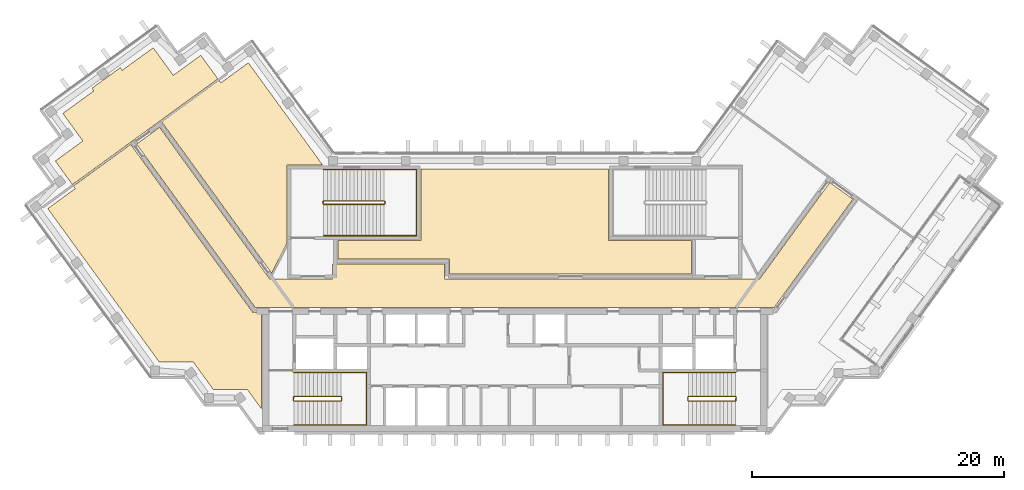
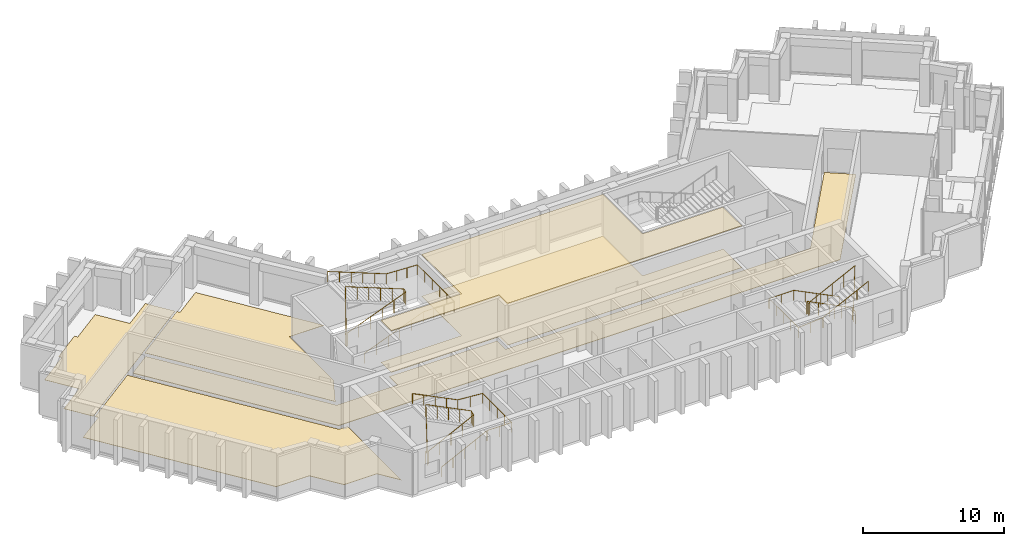
# One storey, part 8 of 9: 6 coverings, 6 railings.
"""IFC4 building model written with IfcOpenShell, lengths in metres."""

import ifcopenshell
import ifcopenshell.guid

model = None  # the IFC model being written
_history = None  # IfcOwnerHistory: only IFC2X3 demands one
_inside = {}  # id of a spatial element -> (the spatial element, [elements in it])
_under = {}  # id of a project, library or spatial element -> (it, [spatial elements below it])
_declared = {}  # id of a project -> (the project, [libraries it declares])
_typed = {}  # id of a type object -> (the type object, [elements of that type])
_made_of = {}  # id of a material, layer set ... -> (it, [elements and type objects made of it])


def new_model(schema):
    """Start an empty IFC model of exactly this schema.

    Asked for "IFC4X3", IfcOpenShell would pick the latest addendum, in which some entities
    have other attributes; the version numbers below select the first issue.
    IFC2X3 requires an IfcOwnerHistory on every rooted entity: one is made here for all.
    """
    global model, _history
    if schema == "IFC4X3":
        model = ifcopenshell.file(schema_version=(4, 3, 0, 0))
    else:
        model = ifcopenshell.file(schema=schema)
    _inside.clear()
    _under.clear()
    _declared.clear()
    _typed.clear()
    _made_of.clear()
    _history = None
    if model.schema == "IFC2X3":
        org = make("IfcOrganization", Name="unknown")
        user = make(
            "IfcPersonAndOrganization",
            ThePerson=make("IfcPerson", FamilyName="unknown"),
            TheOrganization=org,
        )
        app = make(
            "IfcApplication",
            ApplicationDeveloper=org,
            Version="unknown",
            ApplicationFullName="unknown",
            ApplicationIdentifier="unknown",
        )
        _history = make(
            "IfcOwnerHistory",
            OwningUser=user,
            OwningApplication=app,
            ChangeAction="ADDED",
            CreationDate=0,
        )
    return model


def make(cls, **values):
    """One entity of the class cls with the attributes given. An attribute that is None is left unset."""
    return model.create_entity(
        cls, **{name: value for name, value in values.items() if value is not None}
    )


def rooted(cls, **values):
    """An entity with a GlobalId (a new one), such as an element, a storey or a relation."""
    return make(cls, GlobalId=ifcopenshell.guid.new(), OwnerHistory=_history, **values)


def si_unit(unit_type, name, prefix=None):
    """IfcSIUnit, for example si_unit("LENGTHUNIT", "METRE", prefix="MILLI")."""
    return make("IfcSIUnit", UnitType=unit_type, Prefix=prefix, Name=name)


def assignment(units):
    """IfcUnitAssignment: the units of a project."""
    return None if units is None else make("IfcUnitAssignment", Units=units)


def point(xyz):
    """IfcCartesianPoint."""
    return None if xyz is None else make("IfcCartesianPoint", Coordinates=xyz)


def direction(xyz):
    """IfcDirection."""
    return None if xyz is None else make("IfcDirection", DirectionRatios=xyz)


def frame(location, z_axis=None, x_axis=None):
    """IfcAxis2Placement3D, a coordinate frame: its origin and axes. An axis left out is left unset."""
    return make(
        "IfcAxis2Placement3D",
        Location=point(location),
        Axis=direction(z_axis),
        RefDirection=direction(x_axis),
    )


def frame_2d(location, x_axis=None):
    """IfcAxis2Placement2D, a coordinate frame in the plane: its origin and x axis."""
    return make(
        "IfcAxis2Placement2D", Location=point(location), RefDirection=direction(x_axis)
    )


def origin():
    """The frame at (0, 0, 0) with its axes left unset."""
    return frame((0.0, 0.0, 0.0))


def origin_2d():
    """The frame at (0, 0) in the plane with its x axis left unset."""
    return frame_2d((0.0, 0.0))


def place(relative_to, where):
    """IfcLocalPlacement: puts the frame where relative to a parent placement (None: the world)."""
    return make(
        "IfcLocalPlacement", PlacementRelTo=relative_to, RelativePlacement=where
    )


def context(
    kind, dimensions, precision=None, world=None, true_north=None, identifier=None
):
    """IfcGeometricRepresentationContext, for example the 3D "Model" context."""
    return make(
        "IfcGeometricRepresentationContext",
        ContextIdentifier=identifier,
        ContextType=kind,
        CoordinateSpaceDimension=dimensions,
        Precision=precision,
        WorldCoordinateSystem=world,
        TrueNorth=true_north,
    )


def subcontext(parent, identifier, kind, view, scale=None):
    """IfcGeometricRepresentationSubContext, for example "Body" below "Model"."""
    return make(
        "IfcGeometricRepresentationSubContext",
        ContextIdentifier=identifier,
        ContextType=kind,
        ParentContext=parent,
        TargetScale=scale,
        TargetView=view,
    )


def project(units=None, contexts=None):
    """IfcProject with its units and contexts."""
    return rooted(
        "IfcProject",
        Name="project",
        RepresentationContexts=contexts,
        UnitsInContext=assignment(units),
    )


def spatial(cls, under=None, at=None, **own):
    """A site, building, storey or space (cls), placed at a placement, below another one or the project."""
    s = rooted(cls, ObjectPlacement=at, **own)
    if under is not None:
        _under.setdefault(under.id(), (under, []))[1].append(s)
    return s


def polyline(points):
    """IfcPolyline through the points."""
    return make("IfcPolyline", Points=[point(p) for p in points])


def profile(cls, at=None, kind="AREA", **sizes):
    """A parametric profile (cls). Its sizes go by their IFC names, for example OverallWidth=200.0."""
    return make(cls, ProfileType=kind, Position=at, **sizes)


def circle(**sizes):
    """IfcCircleProfileDef."""
    return profile("IfcCircleProfileDef", **sizes)


def outline(outer, holes=None, kind="AREA"):
    """IfcArbitraryClosedProfileDef: a profile drawn as a closed curve; with holes, ...WithVoids."""
    if holes is None:
        return make("IfcArbitraryClosedProfileDef", ProfileType=kind, OuterCurve=outer)
    return make(
        "IfcArbitraryProfileDefWithVoids",
        ProfileType=kind,
        OuterCurve=outer,
        InnerCurves=holes,
    )


def extrude(swept, where, along, depth):
    """IfcExtrudedAreaSolid: the profile swept, set in the frame where, extruded along a direction by depth."""
    return make(
        "IfcExtrudedAreaSolid",
        SweptArea=swept,
        Position=where,
        ExtrudedDirection=direction(along),
        Depth=depth,
    )


def shape(context_of_items, identifier, shape_type, items):
    """IfcShapeRepresentation: the items that make up one representation, for example the "Body"."""
    return make(
        "IfcShapeRepresentation",
        ContextOfItems=context_of_items,
        RepresentationIdentifier=identifier,
        RepresentationType=shape_type,
        Items=items,
    )


def material(Name=None, Category=None):
    """IfcMaterial."""
    return make("IfcMaterial", Name=Name, Category=Category)


def layer(
    of_material, thickness, ventilated=None, Name=None, Category=None, Priority=None
):
    """IfcMaterialLayer: one layer of a wall or slab, of a material (None: an air gap)."""
    return make(
        "IfcMaterialLayer",
        Material=of_material,
        LayerThickness=thickness,
        IsVentilated=ventilated,
        Name=Name,
        Category=Category,
        Priority=Priority,
    )


def layer_set(layers, Name=None):
    """IfcMaterialLayerSet."""
    return make("IfcMaterialLayerSet", MaterialLayers=layers, LayerSetName=Name)


def made_of(thing, what):
    """Note that an element or type object is made of a material, layer set ...; save() writes the relation."""
    if what is not None:
        _made_of.setdefault(what.id(), (what, []))[1].append(thing)
    return thing


def type_object(cls, material=None, **own):
    """A type object (cls), such as IfcWallType, which elements share."""
    return made_of(rooted(cls, **own), material)


def element(
    cls,
    number,
    at=None,
    inside=None,
    cuts=None,
    type_object=None,
    material=None,
    context=None,
    identifier="Body",
    shape_type=None,
    held_by="IfcProductDefinitionShape",
    body=None,
    shapes=None,
    **own,
):
    """One element of the class cls, such as IfcWall. Its Tag is "e" and its number.

    at: its placement. inside: the storey or other place that contains it. cuts: it is an
    opening in that element (IfcRelVoidsElement). A single representation is given by context,
    identifier, shape_type and body (its items); several are given by shapes. held_by: the class
    of the entity that holds the representations. save() writes the other relations.
    """
    e = rooted(cls, Tag="e%d" % number, ObjectPlacement=at, **own)
    if body is not None:
        shapes = [shape(context, identifier, shape_type, body)]
    if shapes is not None:
        e.Representation = make(held_by, Representations=shapes)
    if inside is not None:
        _inside.setdefault(inside.id(), (inside, []))[1].append(e)
    if cuts is not None:
        rooted(
            "IfcRelVoidsElement", RelatingBuildingElement=cuts, RelatedOpeningElement=e
        )
    if type_object is not None:
        _typed.setdefault(type_object.id(), (type_object, []))[1].append(e)
    return made_of(e, material)


def aggregate(whole, parts):
    """IfcRelAggregates: a whole, such as a stair, and the parts it consists of."""
    return rooted("IfcRelAggregates", RelatingObject=whole, RelatedObjects=parts)


def save(model, path):
    """Write the relations noted so far, then the file.

    IfcRelAggregates (storeys below a building ...), IfcRelContainedInSpatialStructure (elements
    in a storey), IfcRelDefinesByType, IfcRelAssociatesMaterial and IfcRelDeclares: one each for
    every whole, place, type object, material and project.
    """
    for whole, parts in _under.values():
        aggregate(whole, parts)
    for where, things in _inside.values():
        rooted(
            "IfcRelContainedInSpatialStructure",
            RelatedElements=things,
            RelatingStructure=where,
        )
    for kind, things in _typed.values():
        rooted("IfcRelDefinesByType", RelatedObjects=things, RelatingType=kind)
    for what, things in _made_of.values():
        rooted("IfcRelAssociatesMaterial", RelatedObjects=things, RelatingMaterial=what)
    for by, libraries in _declared.values():
        rooted("IfcRelDeclares", RelatingContext=by, RelatedDefinitions=libraries)
    model.write(path)


model = new_model("IFC4")

# Units and contexts
model_context = context("Model", 3, precision=1e-05, world=origin(), true_north=direction((0.0, 1.0)))
body_context = subcontext(model_context, "Body", "Model", "MODEL_VIEW")
ifc_project = project(units=[si_unit("LENGTHUNIT", "METRE"), si_unit("AREAUNIT", "SQUARE_METRE"), si_unit("VOLUMEUNIT", "CUBIC_METRE"), si_unit("PLANEANGLEUNIT", "RADIAN"), si_unit("MASSUNIT", "GRAM", prefix="KILO")], contexts=[model_context])

# Site, building, storey
site_placement = place(None, origin())
site = spatial("IfcSite", under=ifc_project, at=site_placement, CompositionType="ELEMENT")
building_placement = place(site_placement, origin())
building = spatial("IfcBuilding", under=site, at=building_placement, Name="Quipu Civic Tower", CompositionType="ELEMENT")
storey_placement = place(building_placement, frame((0.0, 0.0, 315.0)))
storey = spatial("IfcBuildingStorey", under=building, at=storey_placement, Name="L73", CompositionType="ELEMENT", Elevation=315.0)

# Coverings
ifc_material_1 = material(Name="Mineral fibre acoustic ceiling tile")
ifc_layer_1 = layer(ifc_material_1, 0.0400390625)
ifc_layer_set_1 = layer_set([ifc_layer_1], Name="Mineral fibre acoustic ceiling tile")
covering_type_1 = type_object("IfcCoveringType", Name="Acoustic ceiling tile 600 x 600", PredefinedType="CEILING", material=ifc_layer_set_1)
covering_1_placement = place(storey_placement, frame((0.0, 0.0, 3.610107421875)))
element("IfcCovering", 1, at=covering_1_placement, inside=storey, type_object=covering_type_1, Name="Acoustic ceiling tile 600 x 600", PredefinedType="CEILING", context=body_context, shape_type="SweptSolid", body=[
    extrude(outline(polyline([(-14.030029296875, 2.719970703125), (-14.030029296875, 4.179931640625), (-7.430908203125, 4.180908203125), (-7.429931640625, 9.830078125), (7.429931640625, 9.830078125), (7.430908203125, 4.179931640625), (14.030029296875, 4.179931640625), (14.030029296875, 1.52001953125), (-5.179931640625, 1.52001953125), (-5.181884765625, 2.719970703125), (-14.030029296875, 2.719970703125)])), origin(), (0.0, 0.0, 1.0), 0.039794921875),
])
ifc_material_2 = material(Name="Carpet tile on raised access floor")
ifc_layer_2 = layer(ifc_material_2, 0.02001953125)
ifc_layer_set_2 = layer_set([ifc_layer_2], Name="Carpet tile on raised access floor")
covering_type_2 = type_object("IfcCoveringType", Name="Carpet tile floor finish 20", PredefinedType="FLOORING", material=ifc_layer_set_2)
covering_2_placement = place(storey_placement, origin())
element("IfcCovering", 2, at=covering_2_placement, inside=storey, type_object=covering_type_2, Name="Carpet tile floor finish 20", PredefinedType="FLOORING", context=body_context, shape_type="SweptSolid", body=[
    extrude(outline(polyline([(-14.030029296875, 2.719970703125), (-14.030029296875, 4.179931640625), (-7.430908203125, 4.180908203125), (-7.429931640625, 9.830078125), (7.429931640625, 9.830078125), (7.430908203125, 4.179931640625), (14.030029296875, 4.179931640625), (14.030029296875, 1.52001953125), (-5.179931640625, 1.52001953125), (-5.181884765625, 2.719970703125), (-14.030029296875, 2.719970703125)])), origin(), (0.0, 0.0, 1.0), 0.02001953125),
])
covering_3_placement = place(storey_placement, origin())
element("IfcCovering", 3, at=covering_3_placement, inside=storey, type_object=covering_type_2, Name="Carpet tile floor finish 20", PredefinedType="FLOORING", context=body_context, shape_type="SweptSolid", body=[
    extrude(outline(polyline([(-27.987060546875, 13.5791015625), (-23.447998046875, 16.876953125), (-23.299072265625, 16.676025390625), (-21.115966796875, 18.260986328125), (-15.238037109375, 10.169921875), (-18.070068359375, 10.1689453125), (-18.070068359375, 3.94189453125), (-19.27197265625, 1.583984375), (-27.987060546875, 13.5791015625)])), origin(), (0.0, 0.0, 1.0), 0.02001953125),
])
covering_4_placement = place(storey_placement, origin())
element("IfcCovering", 4, at=covering_4_placement, inside=storey, type_object=covering_type_2, Name="Carpet tile floor finish 20", PredefinedType="FLOORING", context=body_context, shape_type="SweptSolid", body=[
    extrude(outline(polyline([(-36.425048828125, 10.47705078125), (-34.240966796875, 12.06396484375), (-35.826904296875, 14.248046875), (-33.3701171875, 16.032958984375), (-33.52197265625, 16.2451171875), (-31.27099609375, 17.8798828125), (-31.116943359375, 17.6708984375), (-28.658935546875, 19.455078125), (-27.073974609375, 17.27197265625), (-24.888916015625, 18.85791015625), (-23.531005859375, 16.989013671875), (-35.068115234375, 8.60791015625), (-36.425048828125, 10.47705078125)])), origin(), (0.0, 0.0, 1.0), 0.02001953125),
])
ifc_material_3 = material(Name="Ceramic floor tile")
ifc_layer_3 = layer(ifc_material_3, 0.030029296875)
ifc_layer_set_3 = layer_set([ifc_layer_3], Name="Ceramic floor tile")
covering_type_3 = type_object("IfcCoveringType", Name="Ceramic tile floor finish 30", PredefinedType="FLOORING", material=ifc_layer_set_3)
covering_5_placement = place(storey_placement, origin())
element("IfcCovering", 5, at=covering_5_placement, inside=storey, type_object=covering_type_3, Name="Ceramic tile floor finish 30", PredefinedType="FLOORING", context=body_context, shape_type="SweptSolid", body=[
    extrude(outline(polyline([(-37.02197265625, 6.7060546875), (-34.839111328125, 8.291015625), (-34.985107421875, 8.493896484375), (-30.446044921875, 11.7919921875), (-20.77490234375, -1.51904296875), (-20.070068359375, -1.52001953125), (-20.070068359375, -9.195068359375), (-21.196044921875, -7.64599609375), (-23.89501953125, -7.64599609375), (-25.48193359375, -5.4619140625), (-28.181884765625, -5.4609375), (-37.02197265625, 6.7060546875)])), origin(), (0.0, 0.0, 1.0), 0.030029296875),
])

# Railings
ifc_material_4 = material(Name="Stainless steel", Category="steel")
railing_type_1 = type_object("IfcRailingType", Name="Stair guard 1100", PredefinedType="GUARDRAIL", material=ifc_material_4)
railing_1_placement = place(storey_placement, frame((-17.5, -8.550048828125, 0.15380859375)))
element("IfcRailing", 6, at=railing_1_placement, inside=storey, type_object=railing_type_1, Name="Stair 1 guard", PredefinedType="GUARDRAIL", context=body_context, shape_type="SweptSolid", body=[
    extrude(circle(Radius=0.02392578125, at=origin_2d()), frame((0.0, 0.0, 1.076171875), z_axis=(0.895751851347, 0.0, 0.444554407028), x_axis=(0.0, 1.0, 0.0)), (0.0, 0.0, 1.0), 4.15283203125),
    extrude(circle(Radius=0.02392578125, at=origin_2d()), frame((3.719970703125, 0.0, 2.92236328125), z_axis=(0.707106781187, 0.707106781187, 0.0), x_axis=(-0.707106781187, 0.707106781187, 0.0)), (0.0, 0.0, 1.0), 0.07080078125),
    extrude(circle(Radius=0.02392578125, at=origin_2d()), frame((3.77001953125, 0.050048828125, 2.92236328125), z_axis=(0.0, 1.0, 0.0), x_axis=(-1.0, 0.0, 0.0)), (0.0, 0.0, 1.0), 0.25),
    extrude(circle(Radius=0.02392578125, at=origin_2d()), frame((3.77001953125, 0.300048828125, 2.92236328125), z_axis=(-0.295599637079, 0.295599637079, 0.908428152975), x_axis=(-0.707106781187, -0.707106781187, 0.0)), (0.0, 0.0, 1.0), 0.16943359375),
    extrude(circle(Radius=0.02392578125, at=origin_2d()), frame((3.719970703125, 0.35009765625, 3.076171875), z_axis=(-0.895751851347, 0.0, 0.444554407028), x_axis=(0.0, -1.0, 0.0)), (0.0, 0.0, 1.0), 4.15283203125),
    extrude(circle(Radius=0.02392578125, at=origin_2d()), frame((0.0, 0.35009765625, 4.92236328125), z_axis=(-0.012476181752, -0.074796231092, -0.997120789425), x_axis=(0.986372223864, -0.164529134168, 0.0)), (0.0, 0.0, 1.0), 4.011474609375),
    extrude(circle(Radius=0.02392578125, at=origin_2d()), frame((-0.050048828125, 0.050048828125, 0.92236328125), z_axis=(0.0, 1.0, 0.0), x_axis=(-1.0, 0.0, 0.0)), (0.0, 0.0, 1.0), 0.25),
    extrude(circle(Radius=0.02099609375, at=origin_2d()), origin(), (0.0, 0.0, 1.0), 1.052001953125),
    extrude(circle(Radius=0.02099609375, at=origin_2d()), frame((0.929931640625, 0.0, 0.46142578125)), (0.0, 0.0, 1.0), 1.052001953125),
    extrude(circle(Radius=0.02099609375, at=origin_2d()), frame((1.85986328125, 0.0, 0.923095703125)), (0.0, 0.0, 1.0), 1.052001953125),
    extrude(circle(Radius=0.02099609375, at=origin_2d()), frame((2.7900390625, 0.0, 1.384765625)), (0.0, 0.0, 1.0), 1.052001953125),
    extrude(circle(Radius=0.02099609375, at=origin_2d()), frame((3.719970703125, 0.0, 1.84619140625)), (0.0, 0.0, 1.0), 1.052001953125),
    extrude(circle(Radius=0.02099609375, at=origin_2d()), frame((3.77001953125, 0.050048828125, 1.84619140625)), (0.0, 0.0, 1.0), 1.052001953125),
    extrude(circle(Radius=0.02099609375, at=origin_2d()), frame((3.77001953125, 0.300048828125, 1.84619140625)), (0.0, 0.0, 1.0), 1.052001953125),
    extrude(circle(Radius=0.02099609375, at=origin_2d()), frame((3.719970703125, 0.35009765625, 2.0)), (0.0, 0.0, 1.0), 1.052001953125),
    extrude(circle(Radius=0.02099609375, at=origin_2d()), frame((2.7900390625, 0.35009765625, 2.46142578125)), (0.0, 0.0, 1.0), 1.052001953125),
    extrude(circle(Radius=0.02099609375, at=origin_2d()), frame((1.85986328125, 0.35009765625, 2.923095703125)), (0.0, 0.0, 1.0), 1.052001953125),
    extrude(circle(Radius=0.02099609375, at=origin_2d()), frame((0.929931640625, 0.35009765625, 3.384765625)), (0.0, 0.0, 1.0), 1.052001953125),
    extrude(circle(Radius=0.02099609375, at=origin_2d()), frame((0.0, 0.35009765625, 3.84619140625)), (0.0, 0.0, 1.0), 1.052001953125),
    extrude(circle(Radius=0.02099609375, at=origin_2d()), frame((-0.012451171875, 0.275146484375, 2.84619140625)), (0.0, 0.0, 1.0), 1.052001953125),
    extrude(circle(Radius=0.02099609375, at=origin_2d()), frame((-0.02490234375, 0.2001953125, 1.84619140625)), (0.0, 0.0, 1.0), 1.052001953125),
    extrude(circle(Radius=0.02099609375, at=origin_2d()), frame((-0.03759765625, 0.125, 0.84619140625)), (0.0, 0.0, 1.0), 1.052001953125),
    extrude(circle(Radius=0.02099609375, at=origin_2d()), frame((-0.050048828125, 0.050048828125, -0.15380859375)), (0.0, 0.0, 1.0), 1.052001953125),
    extrude(circle(Radius=0.02099609375, at=origin_2d()), frame((-0.050048828125, 0.300048828125, -0.15380859375)), (0.0, 0.0, 1.0), 1.052001953125),
])
railing_2_placement = place(storey_placement, frame((17.5, -8.199951171875, 0.15380859375)))
element("IfcRailing", 7, at=railing_2_placement, inside=storey, type_object=railing_type_1, Name="Stair 2 guard", PredefinedType="GUARDRAIL", context=body_context, shape_type="SweptSolid", body=[
    extrude(circle(Radius=0.02392578125, at=origin_2d()), frame((0.0, 0.0, 1.076171875), z_axis=(-0.895751851347, 0.0, 0.444554407028), x_axis=(0.0, -1.0, 0.0)), (0.0, 0.0, 1.0), 4.15283203125),
    extrude(circle(Radius=0.02392578125, at=origin_2d()), frame((-3.719970703125, 0.0, 2.92236328125), z_axis=(-0.707106781187, -0.707106781187, 0.0), x_axis=(0.707106781187, -0.707106781187, 0.0)), (0.0, 0.0, 1.0), 0.07080078125),
    extrude(circle(Radius=0.02392578125, at=origin_2d()), frame((-3.77001953125, -0.050048828125, 2.92236328125), z_axis=(0.0, -1.0, 0.0), x_axis=(1.0, 0.0, 0.0)), (0.0, 0.0, 1.0), 0.25),
    extrude(circle(Radius=0.02392578125, at=origin_2d()), frame((-3.77001953125, -0.300048828125, 2.92236328125), z_axis=(0.295599637079, -0.295599637079, 0.908428152975), x_axis=(0.707106781187, 0.707106781187, 0.0)), (0.0, 0.0, 1.0), 0.16943359375),
    extrude(circle(Radius=0.02392578125, at=origin_2d()), frame((-3.719970703125, -0.35009765625, 3.076171875), z_axis=(0.895751851347, 0.0, 0.444554407028), x_axis=(0.0, 1.0, 0.0)), (0.0, 0.0, 1.0), 4.15283203125),
    extrude(circle(Radius=0.02392578125, at=origin_2d()), frame((0.0, -0.35009765625, 4.92236328125), z_axis=(0.012476181752, 0.074796231092, -0.997120789425), x_axis=(-0.986372223864, 0.164529134168, 0.0)), (0.0, 0.0, 1.0), 4.011474609375),
    extrude(circle(Radius=0.02392578125, at=origin_2d()), frame((0.050048828125, -0.050048828125, 0.92236328125), z_axis=(0.0, -1.0, 0.0), x_axis=(1.0, 0.0, 0.0)), (0.0, 0.0, 1.0), 0.25),
    extrude(circle(Radius=0.02099609375, at=origin_2d()), origin(), (0.0, 0.0, 1.0), 1.052001953125),
    extrude(circle(Radius=0.02099609375, at=origin_2d()), frame((-0.929931640625, 0.0, 0.46142578125)), (0.0, 0.0, 1.0), 1.052001953125),
    extrude(circle(Radius=0.02099609375, at=origin_2d()), frame((-1.85986328125, 0.0, 0.923095703125)), (0.0, 0.0, 1.0), 1.052001953125),
    extrude(circle(Radius=0.02099609375, at=origin_2d()), frame((-2.7900390625, 0.0, 1.384765625)), (0.0, 0.0, 1.0), 1.052001953125),
    extrude(circle(Radius=0.02099609375, at=origin_2d()), frame((-3.719970703125, 0.0, 1.84619140625)), (0.0, 0.0, 1.0), 1.052001953125),
    extrude(circle(Radius=0.02099609375, at=origin_2d()), frame((-3.77001953125, -0.050048828125, 1.84619140625)), (0.0, 0.0, 1.0), 1.052001953125),
    extrude(circle(Radius=0.02099609375, at=origin_2d()), frame((-3.77001953125, -0.300048828125, 1.84619140625)), (0.0, 0.0, 1.0), 1.052001953125),
    extrude(circle(Radius=0.02099609375, at=origin_2d()), frame((-3.719970703125, -0.35009765625, 2.0)), (0.0, 0.0, 1.0), 1.052001953125),
    extrude(circle(Radius=0.02099609375, at=origin_2d()), frame((-2.7900390625, -0.35009765625, 2.46142578125)), (0.0, 0.0, 1.0), 1.052001953125),
    extrude(circle(Radius=0.02099609375, at=origin_2d()), frame((-1.85986328125, -0.35009765625, 2.923095703125)), (0.0, 0.0, 1.0), 1.052001953125),
    extrude(circle(Radius=0.02099609375, at=origin_2d()), frame((-0.929931640625, -0.35009765625, 3.384765625)), (0.0, 0.0, 1.0), 1.052001953125),
    extrude(circle(Radius=0.02099609375, at=origin_2d()), frame((0.0, -0.35009765625, 3.84619140625)), (0.0, 0.0, 1.0), 1.052001953125),
    extrude(circle(Radius=0.02099609375, at=origin_2d()), frame((0.012451171875, -0.275146484375, 2.84619140625)), (0.0, 0.0, 1.0), 1.052001953125),
    extrude(circle(Radius=0.02099609375, at=origin_2d()), frame((0.02490234375, -0.2001953125, 1.84619140625)), (0.0, 0.0, 1.0), 1.052001953125),
    extrude(circle(Radius=0.02099609375, at=origin_2d()), frame((0.03759765625, -0.125, 0.84619140625)), (0.0, 0.0, 1.0), 1.052001953125),
    extrude(circle(Radius=0.02099609375, at=origin_2d()), frame((0.050048828125, -0.050048828125, -0.15380859375)), (0.0, 0.0, 1.0), 1.052001953125),
    extrude(circle(Radius=0.02099609375, at=origin_2d()), frame((0.050048828125, -0.300048828125, -0.15380859375)), (0.0, 0.0, 1.0), 1.052001953125),
])
railing_3_placement = place(storey_placement, frame((-15.14990234375, 7.050048828125, 0.11767578125)))
element("IfcRailing", 8, at=railing_3_placement, inside=storey, type_object=railing_type_1, Name="Stair 3 guard", PredefinedType="GUARDRAIL", context=body_context, shape_type="SweptSolid", body=[
    extrude(circle(Radius=0.02392578125, at=origin_2d()), frame((0.0, 0.0, 1.076171875), z_axis=(0.930970042603, 0.0, 0.365095576219), x_axis=(0.0, 1.0, 0.0)), (0.0, 0.0, 1.0), 5.15576171875),
    extrude(circle(Radius=0.02392578125, at=origin_2d()), frame((4.7998046875, 0.0, 2.95849609375), z_axis=(0.707106781187, 0.707106781187, 0.0), x_axis=(-0.707106781187, 0.707106781187, 0.0)), (0.0, 0.0, 1.0), 0.07080078125),
    extrude(circle(Radius=0.02392578125, at=origin_2d()), frame((4.849853515625, 0.050048828125, 2.95849609375), z_axis=(0.0, 1.0, 0.0), x_axis=(-1.0, 0.0, 0.0)), (0.0, 0.0, 1.0), 0.14990234375),
    extrude(circle(Radius=0.02392578125, at=origin_2d()), frame((4.849853515625, 0.199951171875, 2.95849609375), z_axis=(-0.364463019033, 0.364463019033, 0.856932561824), x_axis=(-0.707106781187, -0.707106781187, 0.0)), (0.0, 0.0, 1.0), 0.13720703125),
    extrude(circle(Radius=0.02392578125, at=origin_2d()), frame((4.7998046875, 0.25, 3.076171875), z_axis=(-0.930970042603, 0.0, 0.365095576219), x_axis=(0.0, -1.0, 0.0)), (0.0, 0.0, 1.0), 5.15576171875),
    extrude(circle(Radius=0.02392578125, at=origin_2d()), frame((0.0, 0.25, 4.95849609375), z_axis=(-0.012495627992, -0.049921557685, -0.998674970829), x_axis=(0.970072785993, -0.242814311512, 0.0)), (0.0, 0.0, 1.0), 4.00537109375),
    extrude(circle(Radius=0.02392578125, at=origin_2d()), frame((-0.050048828125, 0.050048828125, 0.95849609375), z_axis=(0.0, 1.0, 0.0), x_axis=(-1.0, 0.0, 0.0)), (0.0, 0.0, 1.0), 0.14990234375),
    extrude(circle(Radius=0.02099609375, at=origin_2d()), origin(), (0.0, 0.0, 1.0), 1.052001953125),
    extrude(circle(Radius=0.02099609375, at=origin_2d()), frame((0.9599609375, 0.0, 0.37646484375)), (0.0, 0.0, 1.0), 1.052001953125),
    extrude(circle(Radius=0.02099609375, at=origin_2d()), frame((1.919921875, 0.0, 0.7529296875)), (0.0, 0.0, 1.0), 1.052001953125),
    extrude(circle(Radius=0.02099609375, at=origin_2d()), frame((2.8798828125, 0.0, 1.12939453125)), (0.0, 0.0, 1.0), 1.052001953125),
    extrude(circle(Radius=0.02099609375, at=origin_2d()), frame((3.83984375, 0.0, 1.505859375)), (0.0, 0.0, 1.0), 1.052001953125),
    extrude(circle(Radius=0.02099609375, at=origin_2d()), frame((4.7998046875, 0.0, 1.88232421875)), (0.0, 0.0, 1.0), 1.052001953125),
    extrude(circle(Radius=0.02099609375, at=origin_2d()), frame((4.849853515625, 0.050048828125, 1.88232421875)), (0.0, 0.0, 1.0), 1.052001953125),
    extrude(circle(Radius=0.02099609375, at=origin_2d()), frame((4.849853515625, 0.199951171875, 1.88232421875)), (0.0, 0.0, 1.0), 1.052001953125),
    extrude(circle(Radius=0.02099609375, at=origin_2d()), frame((4.7998046875, 0.25, 2.0)), (0.0, 0.0, 1.0), 1.052001953125),
    extrude(circle(Radius=0.02099609375, at=origin_2d()), frame((3.83984375, 0.25, 2.37646484375)), (0.0, 0.0, 1.0), 1.052001953125),
    extrude(circle(Radius=0.02099609375, at=origin_2d()), frame((2.8798828125, 0.25, 2.7529296875)), (0.0, 0.0, 1.0), 1.052001953125),
    extrude(circle(Radius=0.02099609375, at=origin_2d()), frame((1.919921875, 0.25, 3.12939453125)), (0.0, 0.0, 1.0), 1.052001953125),
    extrude(circle(Radius=0.02099609375, at=origin_2d()), frame((0.9599609375, 0.25, 3.505859375)), (0.0, 0.0, 1.0), 1.052001953125),
    extrude(circle(Radius=0.02099609375, at=origin_2d()), frame((0.0, 0.25, 3.88232421875)), (0.0, 0.0, 1.0), 1.052001953125),
    extrude(circle(Radius=0.02099609375, at=origin_2d()), frame((-0.012451171875, 0.199951171875, 2.88232421875)), (0.0, 0.0, 1.0), 1.052001953125),
    extrude(circle(Radius=0.02099609375, at=origin_2d()), frame((-0.02490234375, 0.14990234375, 1.88232421875)), (0.0, 0.0, 1.0), 1.052001953125),
    extrude(circle(Radius=0.02099609375, at=origin_2d()), frame((-0.03759765625, 0.10009765625, 0.88232421875)), (0.0, 0.0, 1.0), 1.052001953125),
    extrude(circle(Radius=0.02099609375, at=origin_2d()), frame((-0.050048828125, 0.050048828125, -0.11767578125)), (0.0, 0.0, 1.0), 1.052001953125),
    extrude(circle(Radius=0.02099609375, at=origin_2d()), frame((-0.050048828125, 0.199951171875, -0.11767578125)), (0.0, 0.0, 1.0), 1.052001953125),
])
ifc_material_5 = material(Name="Stainless steel", Category="steel")
railing_type_2 = type_object("IfcRailingType", Name="Stair handrail", PredefinedType="HANDRAIL", material=ifc_material_5)
railing_4_placement = place(storey_placement, frame((-17.5, -10.449951171875, 0.15380859375)))
element("IfcRailing", 9, at=railing_4_placement, inside=storey, type_object=railing_type_2, Name="Stair 1 handrail", PredefinedType="HANDRAIL", context=body_context, shape_type="SweptSolid", body=[
    extrude(circle(Radius=0.02392578125, at=origin_2d()), frame((0.0, 0.0, 0.8759765625), z_axis=(0.895751851347, 0.0, 0.444554407028), x_axis=(0.0, 1.0, 0.0)), (0.0, 0.0, 1.0), 4.15283203125),
    extrude(circle(Radius=0.02392578125, at=origin_2d()), frame((3.719970703125, 0.0, 2.72216796875), z_axis=(1.0, 0.0, 0.0), x_axis=(0.0, 1.0, 0.0)), (0.0, 0.0, 1.0), 2.030029296875),
    extrude(circle(Radius=0.02392578125, at=origin_2d()), frame((5.75, 0.0, 2.72216796875), z_axis=(0.0, 1.0, 0.0), x_axis=(-1.0, 0.0, 0.0)), (0.0, 0.0, 1.0), 4.14990234375),
    extrude(circle(Radius=0.02392578125, at=origin_2d()), frame((5.75, 4.14990234375, 2.72216796875), z_axis=(-0.997142003663, 0.0, 0.075550145798), x_axis=(0.0, -1.0, 0.0)), (0.0, 0.0, 1.0), 2.035888671875),
    extrude(circle(Radius=0.02392578125, at=origin_2d()), frame((3.719970703125, 4.14990234375, 2.8759765625), z_axis=(-0.895751851347, 0.0, 0.444554407028), x_axis=(0.0, -1.0, 0.0)), (0.0, 0.0, 1.0), 4.15283203125),
    extrude(circle(Radius=0.02099609375, at=origin_2d()), origin(), (0.0, 0.0, 1.0), 0.851806640625),
    extrude(circle(Radius=0.02099609375, at=origin_2d()), frame((0.929931640625, 0.0, 0.46142578125)), (0.0, 0.0, 1.0), 0.851806640625),
    extrude(circle(Radius=0.02099609375, at=origin_2d()), frame((1.85986328125, 0.0, 0.923095703125)), (0.0, 0.0, 1.0), 0.851806640625),
    extrude(circle(Radius=0.02099609375, at=origin_2d()), frame((2.7900390625, 0.0, 1.384765625)), (0.0, 0.0, 1.0), 0.851806640625),
    extrude(circle(Radius=0.02099609375, at=origin_2d()), frame((3.719970703125, 0.0, 1.84619140625)), (0.0, 0.0, 1.0), 0.851806640625),
    extrude(circle(Radius=0.02099609375, at=origin_2d()), frame((4.73486328125, 0.0, 1.84619140625)), (0.0, 0.0, 1.0), 0.851806640625),
    extrude(circle(Radius=0.02099609375, at=origin_2d()), frame((5.75, 0.0, 1.84619140625)), (0.0, 0.0, 1.0), 0.851806640625),
    extrude(circle(Radius=0.02099609375, at=origin_2d()), frame((5.75, 1.03759765625, 1.84619140625)), (0.0, 0.0, 1.0), 0.851806640625),
    extrude(circle(Radius=0.02099609375, at=origin_2d()), frame((5.75, 2.074951171875, 1.84619140625)), (0.0, 0.0, 1.0), 0.851806640625),
    extrude(circle(Radius=0.02099609375, at=origin_2d()), frame((5.75, 3.1123046875, 1.84619140625)), (0.0, 0.0, 1.0), 0.851806640625),
    extrude(circle(Radius=0.02099609375, at=origin_2d()), frame((5.75, 4.14990234375, 1.84619140625)), (0.0, 0.0, 1.0), 0.851806640625),
    extrude(circle(Radius=0.02099609375, at=origin_2d()), frame((4.73486328125, 4.14990234375, 1.923095703125)), (0.0, 0.0, 1.0), 0.851806640625),
    extrude(circle(Radius=0.02099609375, at=origin_2d()), frame((3.719970703125, 4.14990234375, 2.0)), (0.0, 0.0, 1.0), 0.851806640625),
    extrude(circle(Radius=0.02099609375, at=origin_2d()), frame((2.7900390625, 4.14990234375, 2.46142578125)), (0.0, 0.0, 1.0), 0.851806640625),
    extrude(circle(Radius=0.02099609375, at=origin_2d()), frame((1.85986328125, 4.14990234375, 2.923095703125)), (0.0, 0.0, 1.0), 0.851806640625),
    extrude(circle(Radius=0.02099609375, at=origin_2d()), frame((0.929931640625, 4.14990234375, 3.384765625)), (0.0, 0.0, 1.0), 0.851806640625),
    extrude(circle(Radius=0.02099609375, at=origin_2d()), frame((0.0, 4.14990234375, 3.84619140625)), (0.0, 0.0, 1.0), 0.851806640625),
])
railing_5_placement = place(storey_placement, frame((17.5, -6.300048828125, 0.15380859375)))
element("IfcRailing", 10, at=railing_5_placement, inside=storey, type_object=railing_type_2, Name="Stair 2 handrail", PredefinedType="HANDRAIL", context=body_context, shape_type="SweptSolid", body=[
    extrude(circle(Radius=0.02392578125, at=origin_2d()), frame((0.0, 0.0, 0.8759765625), z_axis=(-0.895751851347, 0.0, 0.444554407028), x_axis=(0.0, -1.0, 0.0)), (0.0, 0.0, 1.0), 4.15283203125),
    extrude(circle(Radius=0.02392578125, at=origin_2d()), frame((-3.719970703125, 0.0, 2.72216796875), z_axis=(-1.0, 0.0, 0.0), x_axis=(0.0, -1.0, 0.0)), (0.0, 0.0, 1.0), 2.030029296875),
    extrude(circle(Radius=0.02392578125, at=origin_2d()), frame((-5.75, 0.0, 2.72216796875), z_axis=(0.0, -1.0, 0.0), x_axis=(1.0, 0.0, 0.0)), (0.0, 0.0, 1.0), 4.14990234375),
    extrude(circle(Radius=0.02392578125, at=origin_2d()), frame((-5.75, -4.14990234375, 2.72216796875), z_axis=(0.997142003663, 0.0, 0.075550145798), x_axis=(0.0, 1.0, 0.0)), (0.0, 0.0, 1.0), 2.035888671875),
    extrude(circle(Radius=0.02392578125, at=origin_2d()), frame((-3.719970703125, -4.14990234375, 2.8759765625), z_axis=(0.895751851347, 0.0, 0.444554407028), x_axis=(0.0, 1.0, 0.0)), (0.0, 0.0, 1.0), 4.15283203125),
    extrude(circle(Radius=0.02099609375, at=origin_2d()), origin(), (0.0, 0.0, 1.0), 0.851806640625),
    extrude(circle(Radius=0.02099609375, at=origin_2d()), frame((-0.929931640625, 0.0, 0.46142578125)), (0.0, 0.0, 1.0), 0.851806640625),
    extrude(circle(Radius=0.02099609375, at=origin_2d()), frame((-1.85986328125, 0.0, 0.923095703125)), (0.0, 0.0, 1.0), 0.851806640625),
    extrude(circle(Radius=0.02099609375, at=origin_2d()), frame((-2.7900390625, 0.0, 1.384765625)), (0.0, 0.0, 1.0), 0.851806640625),
    extrude(circle(Radius=0.02099609375, at=origin_2d()), frame((-3.719970703125, 0.0, 1.84619140625)), (0.0, 0.0, 1.0), 0.851806640625),
    extrude(circle(Radius=0.02099609375, at=origin_2d()), frame((-4.73486328125, 0.0, 1.84619140625)), (0.0, 0.0, 1.0), 0.851806640625),
    extrude(circle(Radius=0.02099609375, at=origin_2d()), frame((-5.75, 0.0, 1.84619140625)), (0.0, 0.0, 1.0), 0.851806640625),
    extrude(circle(Radius=0.02099609375, at=origin_2d()), frame((-5.75, -1.03759765625, 1.84619140625)), (0.0, 0.0, 1.0), 0.851806640625),
    extrude(circle(Radius=0.02099609375, at=origin_2d()), frame((-5.75, -2.074951171875, 1.84619140625)), (0.0, 0.0, 1.0), 0.851806640625),
    extrude(circle(Radius=0.02099609375, at=origin_2d()), frame((-5.75, -3.1123046875, 1.84619140625)), (0.0, 0.0, 1.0), 0.851806640625),
    extrude(circle(Radius=0.02099609375, at=origin_2d()), frame((-5.75, -4.14990234375, 1.84619140625)), (0.0, 0.0, 1.0), 0.851806640625),
    extrude(circle(Radius=0.02099609375, at=origin_2d()), frame((-4.73486328125, -4.14990234375, 1.923095703125)), (0.0, 0.0, 1.0), 0.851806640625),
    extrude(circle(Radius=0.02099609375, at=origin_2d()), frame((-3.719970703125, -4.14990234375, 2.0)), (0.0, 0.0, 1.0), 0.851806640625),
    extrude(circle(Radius=0.02099609375, at=origin_2d()), frame((-2.7900390625, -4.14990234375, 2.46142578125)), (0.0, 0.0, 1.0), 0.851806640625),
    extrude(circle(Radius=0.02099609375, at=origin_2d()), frame((-1.85986328125, -4.14990234375, 2.923095703125)), (0.0, 0.0, 1.0), 0.851806640625),
    extrude(circle(Radius=0.02099609375, at=origin_2d()), frame((-0.929931640625, -4.14990234375, 3.384765625)), (0.0, 0.0, 1.0), 0.851806640625),
    extrude(circle(Radius=0.02099609375, at=origin_2d()), frame((0.0, -4.14990234375, 3.84619140625)), (0.0, 0.0, 1.0), 0.851806640625),
])
railing_6_placement = place(storey_placement, frame((-15.14990234375, 4.550048828125, 0.11767578125)))
element("IfcRailing", 11, at=railing_6_placement, inside=storey, type_object=railing_type_2, Name="Stair 3 handrail", PredefinedType="HANDRAIL", context=body_context, shape_type="SweptSolid", body=[
    extrude(circle(Radius=0.02392578125, at=origin_2d()), frame((0.0, 0.0, 0.8759765625), z_axis=(0.930970042603, 0.0, 0.365095576219), x_axis=(0.0, 1.0, 0.0)), (0.0, 0.0, 1.0), 5.15576171875),
    extrude(circle(Radius=0.02392578125, at=origin_2d()), frame((4.7998046875, 0.0, 2.75830078125), z_axis=(1.0, 0.0, 0.0), x_axis=(0.0, 1.0, 0.0)), (0.0, 0.0, 1.0), 2.550048828125),
    extrude(circle(Radius=0.02392578125, at=origin_2d()), frame((7.349853515625, 0.0, 2.75830078125), z_axis=(0.0, 1.0, 0.0), x_axis=(-1.0, 0.0, 0.0)), (0.0, 0.0, 1.0), 5.25),
    extrude(circle(Radius=0.02392578125, at=origin_2d()), frame((7.349853515625, 5.25, 2.75830078125), z_axis=(-0.998936948642, 0.0, 0.04609742549), x_axis=(0.0, -1.0, 0.0)), (0.0, 0.0, 1.0), 2.552734375),
    extrude(circle(Radius=0.02392578125, at=origin_2d()), frame((4.7998046875, 5.25, 2.8759765625), z_axis=(-0.930970042603, 0.0, 0.365095576219), x_axis=(0.0, -1.0, 0.0)), (0.0, 0.0, 1.0), 5.15576171875),
    extrude(circle(Radius=0.02099609375, at=origin_2d()), origin(), (0.0, 0.0, 1.0), 0.851806640625),
    extrude(circle(Radius=0.02099609375, at=origin_2d()), frame((0.9599609375, 0.0, 0.37646484375)), (0.0, 0.0, 1.0), 0.851806640625),
    extrude(circle(Radius=0.02099609375, at=origin_2d()), frame((1.919921875, 0.0, 0.7529296875)), (0.0, 0.0, 1.0), 0.851806640625),
    extrude(circle(Radius=0.02099609375, at=origin_2d()), frame((2.8798828125, 0.0, 1.12939453125)), (0.0, 0.0, 1.0), 0.851806640625),
    extrude(circle(Radius=0.02099609375, at=origin_2d()), frame((3.83984375, 0.0, 1.505859375)), (0.0, 0.0, 1.0), 0.851806640625),
    extrude(circle(Radius=0.02099609375, at=origin_2d()), frame((4.7998046875, 0.0, 1.88232421875)), (0.0, 0.0, 1.0), 0.851806640625),
    extrude(circle(Radius=0.02099609375, at=origin_2d()), frame((5.64990234375, 0.0, 1.88232421875)), (0.0, 0.0, 1.0), 0.851806640625),
    extrude(circle(Radius=0.02099609375, at=origin_2d()), frame((6.499755859375, 0.0, 1.88232421875)), (0.0, 0.0, 1.0), 0.851806640625),
    extrude(circle(Radius=0.02099609375, at=origin_2d()), frame((7.349853515625, 0.0, 1.88232421875)), (0.0, 0.0, 1.0), 0.851806640625),
    extrude(circle(Radius=0.02099609375, at=origin_2d()), frame((7.349853515625, 1.050048828125, 1.88232421875)), (0.0, 0.0, 1.0), 0.851806640625),
    extrude(circle(Radius=0.02099609375, at=origin_2d()), frame((7.349853515625, 2.10009765625, 1.88232421875)), (0.0, 0.0, 1.0), 0.851806640625),
    extrude(circle(Radius=0.02099609375, at=origin_2d()), frame((7.349853515625, 3.14990234375, 1.88232421875)), (0.0, 0.0, 1.0), 0.851806640625),
    extrude(circle(Radius=0.02099609375, at=origin_2d()), frame((7.349853515625, 4.199951171875, 1.88232421875)), (0.0, 0.0, 1.0), 0.851806640625),
    extrude(circle(Radius=0.02099609375, at=origin_2d()), frame((7.349853515625, 5.25, 1.88232421875)), (0.0, 0.0, 1.0), 0.851806640625),
    extrude(circle(Radius=0.02099609375, at=origin_2d()), frame((6.499755859375, 5.25, 1.921630859375)), (0.0, 0.0, 1.0), 0.851806640625),
    extrude(circle(Radius=0.02099609375, at=origin_2d()), frame((5.64990234375, 5.25, 1.960693359375)), (0.0, 0.0, 1.0), 0.851806640625),
    extrude(circle(Radius=0.02099609375, at=origin_2d()), frame((4.7998046875, 5.25, 2.0)), (0.0, 0.0, 1.0), 0.851806640625),
    extrude(circle(Radius=0.02099609375, at=origin_2d()), frame((3.83984375, 5.25, 2.37646484375)), (0.0, 0.0, 1.0), 0.851806640625),
    extrude(circle(Radius=0.02099609375, at=origin_2d()), frame((2.8798828125, 5.25, 2.7529296875)), (0.0, 0.0, 1.0), 0.851806640625),
    extrude(circle(Radius=0.02099609375, at=origin_2d()), frame((1.919921875, 5.25, 3.12939453125)), (0.0, 0.0, 1.0), 0.851806640625),
    extrude(circle(Radius=0.02099609375, at=origin_2d()), frame((0.9599609375, 5.25, 3.505859375)), (0.0, 0.0, 1.0), 0.851806640625),
    extrude(circle(Radius=0.02099609375, at=origin_2d()), frame((0.0, 5.25, 3.88232421875)), (0.0, 0.0, 1.0), 0.851806640625),
])

# Covering
ifc_material_6 = material(Name="Terrazzo floor finish")
ifc_layer_4 = layer(ifc_material_6, 0.0400390625)
ifc_layer_set_4 = layer_set([ifc_layer_4], Name="Terrazzo floor finish")
covering_type_4 = type_object("IfcCoveringType", Name="Terrazzo floor finish 40", PredefinedType="FLOORING", material=ifc_layer_set_4)
covering_6_placement = place(storey_placement, origin())
element("IfcCovering", 12, at=covering_6_placement, inside=storey, type_object=covering_type_4, Name="Terrazzo floor finish 40", PredefinedType="FLOORING", context=body_context, shape_type="SweptSolid", body=[
    extrude(outline(polyline([(19.425048828125, 1.1298828125), (24.98095703125, 8.778076171875), (26.80908203125, 7.450927734375), (20.574951171875, -1.1298828125), (-20.574951171875, -1.1298828125), (-29.98291015625, 11.819091796875), (-28.155029296875, 13.14697265625), (-19.425048828125, 1.1298828125), (-14.429931640625, 1.1298828125), (-14.429931640625, 2.330078125), (-5.570068359375, 2.330078125), (-5.570068359375, 1.1298828125), (19.425048828125, 1.1298828125)])), origin(), (0.0, 0.0, 1.0), 0.0400390625),
])

save(model, "model.ifc")
